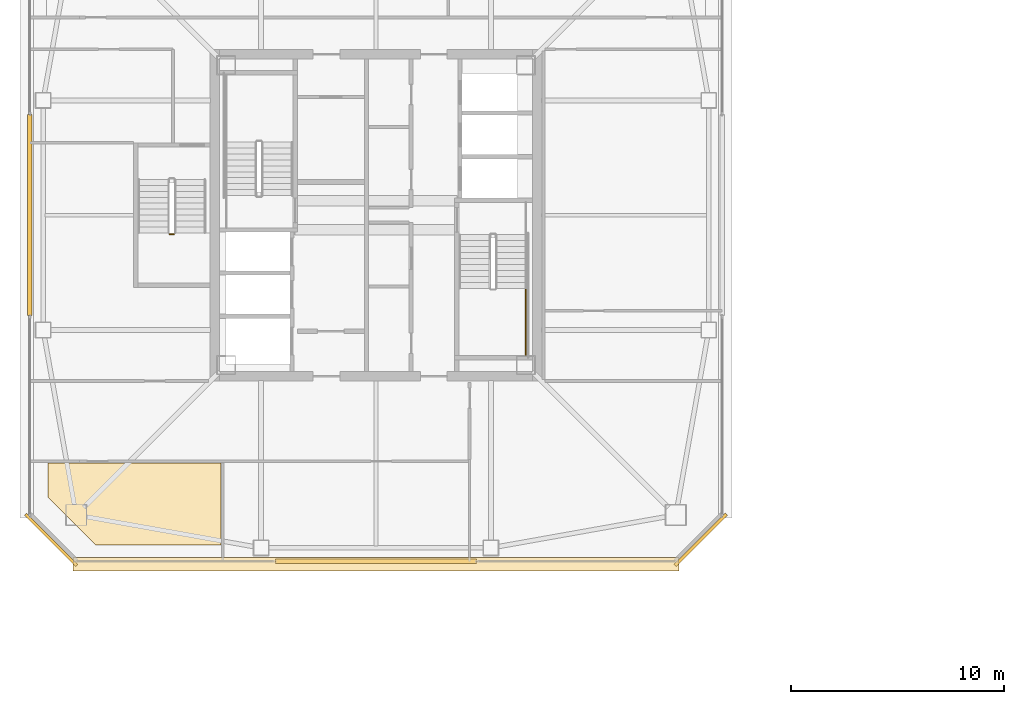
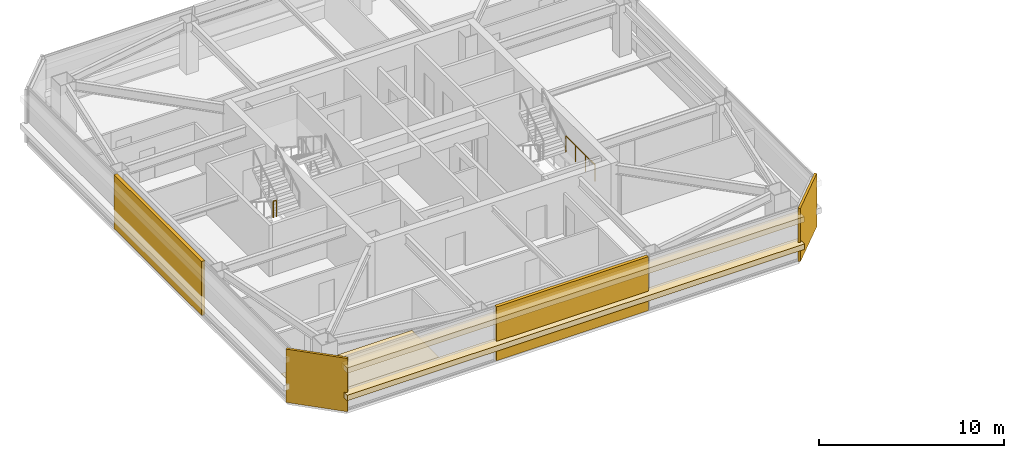
# One storey, part 34 of 39: 7 coverings, 2 railings.
"""IFC4 building model written with IfcOpenShell, lengths in metres."""

from ifc_helpers import new_model, si_unit, direction, frame, origin, origin_2d, place, context, subcontext, project, spatial, polyline, rectangle, outline, extrude, material, layer, layer_set, type_object, element, save


model = new_model("IFC4")

# Units and contexts
model_context = context("Model", 3, precision=1e-05, world=origin(), true_north=direction((0.0, 1.0)))
body_context = subcontext(model_context, "Body", "Model", "MODEL_VIEW")
ifc_project = project(units=[si_unit("LENGTHUNIT", "METRE"), si_unit("AREAUNIT", "SQUARE_METRE"), si_unit("VOLUMEUNIT", "CUBIC_METRE"), si_unit("PLANEANGLEUNIT", "RADIAN"), si_unit("MASSUNIT", "GRAM", prefix="KILO")], contexts=[model_context])

# Site, building, storey
site_placement = place(None, origin())
site = spatial("IfcSite", under=ifc_project, at=site_placement, CompositionType="ELEMENT")
building_placement = place(site_placement, origin())
building = spatial("IfcBuilding", under=site, at=building_placement, Name="Tashvorn Skyway Center", CompositionType="ELEMENT")
storey_placement = place(building_placement, frame((0.0, 0.0, 207.75)))
storey = spatial("IfcBuildingStorey", under=building, at=storey_placement, Name="L56", CompositionType="ELEMENT", Elevation=207.75)

# Coverings
ifc_material_1 = material(Name="Precast concrete C40/50", Category="concrete")
ifc_layer_1 = layer(ifc_material_1, 0.199951171875)
ifc_layer_set_1 = layer_set([ifc_layer_1], Name="Precast concrete C40/50")
covering_type_1 = type_object("IfcCoveringType", Name="COV-BRACE-CLAD", PredefinedType="CLADDING", material=ifc_layer_set_1)
for number, where, z_axis, x_axis, name in (
    (1, (42.0, 15.719970703125, 0.0), (0.0, 0.0, 1.0), (-1.0, 0.0, 0.0), "Tower 1 L56 South Unitised Curtain Wall Mega-Brace Cladding Band 1"),
    (2, (25.719970703125, 32.0, 0.0), (0.0, 0.0, 1.0), (0.0, 1.0, 0.0), "Tower 1 L56 West Unitised Curtain Wall Mega-Brace Cladding Band 1"),
):
    element("IfcCovering", number, at=place(storey_placement, frame(where, z_axis=z_axis, x_axis=x_axis)), inside=storey, type_object=covering_type_1, Name=name, PredefinedType="CLADDING", context=body_context, shape_type="SweptSolid", body=[
        extrude(rectangle(XDim=9.453369140625, YDim=0.199951171875, at=origin_2d()), origin(), (0.0, 0.0, 1.0), 3.550048828125),
    ])
ifc_material_2 = material(Name="Polished Mojave desert-aggregate terrazzo and cover plate")
ifc_layer_2 = layer(ifc_material_2, 0.0400390625)
ifc_layer_set_2 = layer_set([ifc_layer_2], Name="Polished Mojave desert-aggregate terrazzo and cover plate")
covering_type_2 = type_object("IfcCoveringType", Name="COV-FLR-40", PredefinedType="FLOORING", material=ifc_layer_set_2)
covering_placement = place(storey_placement, origin())
element("IfcCovering", 3, at=covering_placement, inside=storey, type_object=covering_type_2, Name="Tower 1 L56 Wellness Clinic Finish Flooring", PredefinedType="FLOORING", context=body_context, shape_type="SweptSolid", body=[
    extrude(outline(polyline([(28.800048828125, 16.5), (26.580078125, 18.719970703125), (26.580078125, 20.35009765625), (34.719970703125, 20.35009765625), (34.719970703125, 16.5), (28.800048828125, 16.5)])), origin(), (0.0, 0.0, 1.0), 0.0400390625),
])
ifc_material_3 = material(Name="Perforated ceramic-coated bronze aluminium solar screen", Category="aluminium")
ifc_layer_3 = layer(ifc_material_3, 0.85009765625)
ifc_layer_set_3 = layer_set([ifc_layer_3], Name="Perforated ceramic-coated bronze aluminium solar screen")
covering_type_3 = type_object("IfcCoveringType", Name="COV-SOLAR-BAND", PredefinedType="CLADDING", material=ifc_layer_set_3)
for number, where, z_axis, x_axis, name in (
    (4, (42.0, 15.580078125, 0.919921875), (0.0, 0.0, 1.0), (-1.0, 0.0, 0.0), "L56 Perforated Ceramic-Metal Solar Screen Louvre Band South 1"),
    (5, (42.0, 15.580078125, 2.7197265625), (0.0, 0.0, 1.0), (-1.0, 0.0, 0.0), "L56 Perforated Ceramic-Metal Solar Screen Louvre Band South 2"),
):
    element("IfcCovering", number, at=place(storey_placement, frame(where, z_axis=z_axis, x_axis=x_axis)), inside=storey, type_object=covering_type_3, Name=name, PredefinedType="CLADDING", context=body_context, shape_type="SweptSolid", body=[
        extrude(rectangle(XDim=28.47998046875, YDim=0.639892578125, at=origin_2d()), origin(), (0.0, 0.0, 1.0), 0.360107421875),
    ])
ifc_layer_4 = layer(ifc_material_1, 0.35009765625)
ifc_layer_set_4 = layer_set([ifc_layer_4], Name="Precast concrete C40/50")
covering_type_4 = type_object("IfcCoveringType", Name="COV-STONE-TRIM", PredefinedType="CLADDING", material=ifc_layer_set_4)
for number, where, z_axis, x_axis, name in (
    (6, (26.72998046875, 16.72998046875, 0.02001953125), (0.0, 0.0, 1.0), (-0.707106781187, 0.707106781187, 0.0), "Tower 1 L56 SW Mojave Limestone Corner Quoin"),
    (7, (57.27001953125, 16.72998046875, 0.02001953125), (0.0, 0.0, 1.0), (0.707106781187, 0.707106781187, 0.0), "Tower 1 L56 SE Mojave Limestone Corner Quoin"),
):
    element("IfcCovering", number, at=place(storey_placement, frame(where, z_axis=z_axis, x_axis=x_axis)), inside=storey, type_object=covering_type_4, Name=name, PredefinedType="CLADDING", context=body_context, shape_type="SweptSolid", body=[
        extrude(rectangle(XDim=3.41259765625, YDim=0.139892578125, at=origin_2d()), origin(), (0.0, 0.0, 1.0), 3.510009765625),
    ])

# Railings
ifc_material_4 = material(Name="Painted galvanized steel S355", Category="steel")
railing_type = type_object("IfcRailingType", Name="RAIL-STGUARD-1100", PredefinedType="GUARDRAIL", material=ifc_material_4)
railing_1_placement = place(storey_placement, frame((49.050048828125, 28.56005859375, 1.77490234375)))
element("IfcRailing", 8, at=railing_1_placement, inside=storey, type_object=railing_type, Name="L56 ST-T1-2 stair guard 3", PredefinedType="GUARDRAIL", context=body_context, shape_type="SweptSolid", body=[
    extrude(rectangle(XDim=0.048095703125, YDim=0.048095703125, at=origin_2d()), frame((0.0, 0.0, 1.076171875), z_axis=(0.0, -1.0, 0.0), x_axis=(1.0, 0.0, 0.0)), (0.0, 0.0, 1.0), 3.16015625),
    extrude(rectangle(XDim=0.0419921875, YDim=0.0419921875, at=origin_2d()), origin(), (0.0, 0.0, 1.0), 1.052001953125),
    extrude(rectangle(XDim=0.0419921875, YDim=0.0419921875, at=origin_2d()), frame((0.0, -1.053466796875, 0.0)), (0.0, 0.0, 1.0), 1.052001953125),
    extrude(rectangle(XDim=0.0419921875, YDim=0.0419921875, at=origin_2d()), frame((0.0, -2.106689453125, 0.0)), (0.0, 0.0, 1.0), 1.052001953125),
    extrude(rectangle(XDim=0.0419921875, YDim=0.0419921875, at=origin_2d()), frame((0.0, -3.16015625, 0.0)), (0.0, 0.0, 1.0), 1.052001953125),
])
railing_2_placement = place(storey_placement, frame((32.300048828125, 31.110107421875, 1.77490234375)))
element("IfcRailing", 9, at=railing_2_placement, inside=storey, type_object=railing_type, Name="L56 ST-T1-3 stair guard 2", PredefinedType="GUARDRAIL", context=body_context, shape_type="SweptSolid", body=[
    extrude(rectangle(XDim=0.048095703125, YDim=0.048095703125, at=origin_2d()), frame((0.0, 0.0, 1.076171875), z_axis=(1.0, 0.0, 0.0), x_axis=(0.0, 1.0, 0.0)), (0.0, 0.0, 1.0), 0.199951171875),
    extrude(rectangle(XDim=0.0419921875, YDim=0.0419921875, at=origin_2d()), origin(), (0.0, 0.0, 1.0), 1.052001953125),
    extrude(rectangle(XDim=0.0419921875, YDim=0.0419921875, at=origin_2d()), frame((0.199951171875, 0.0, 0.0)), (0.0, 0.0, 1.0), 1.052001953125),
])

save(model, "model.ifc")
